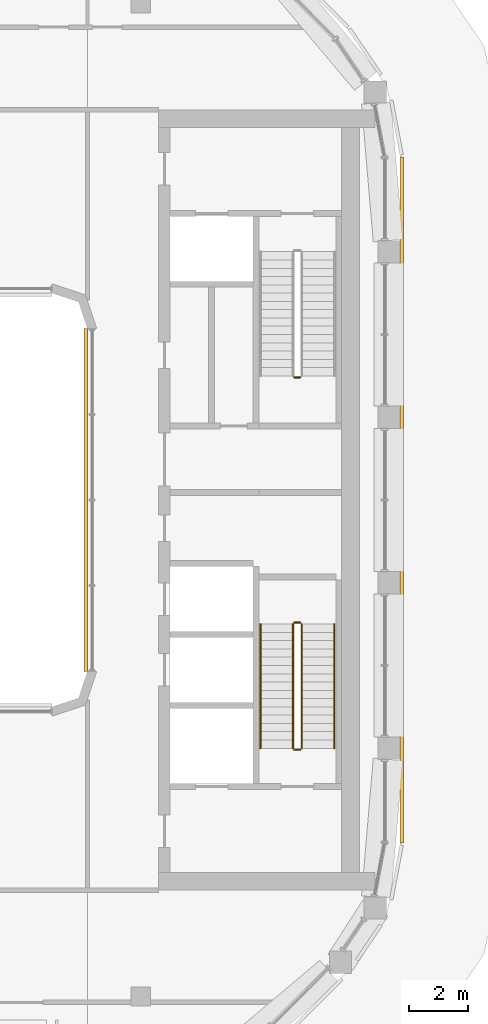
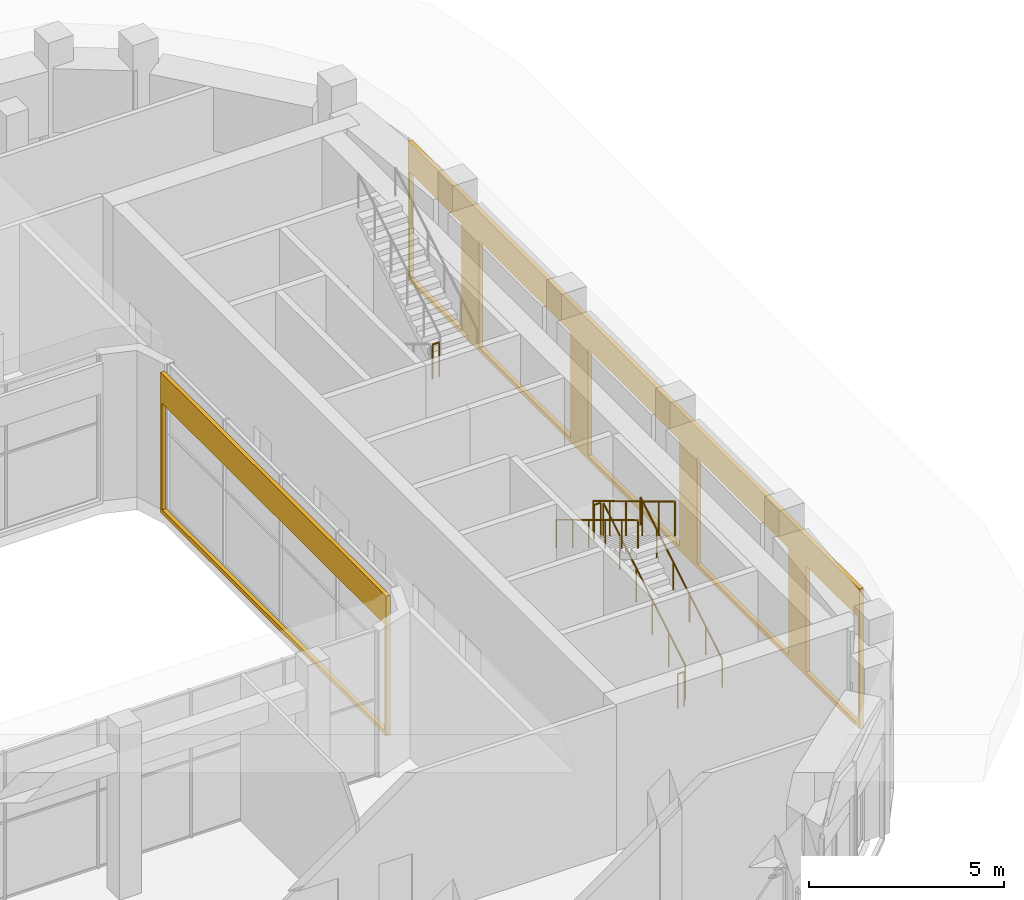
# One storey, part 20 of 23: 7 railings, 2 coverings.
"""IFC4 building model written with IfcOpenShell, lengths in metres."""

from ifc_helpers import new_model, si_unit, direction, frame, origin, origin_2d, place, context, subcontext, project, spatial, polyline, circle, outline, extrude, material, layer, layer_set, type_object, element, save


model = new_model("IFC4")

# Units and contexts
model_context = context("Model", 3, precision=1e-05, world=origin(), true_north=direction((0.0, 1.0)))
body_context = subcontext(model_context, "Body", "Model", "MODEL_VIEW")
ifc_project = project(units=[si_unit("LENGTHUNIT", "METRE"), si_unit("AREAUNIT", "SQUARE_METRE"), si_unit("VOLUMEUNIT", "CUBIC_METRE"), si_unit("PLANEANGLEUNIT", "RADIAN"), si_unit("MASSUNIT", "GRAM", prefix="KILO")], contexts=[model_context])

# Site, building, storey
site_placement = place(None, origin())
site = spatial("IfcSite", under=ifc_project, at=site_placement, CompositionType="ELEMENT")
building_placement = place(site_placement, origin())
building = spatial("IfcBuilding", under=site, at=building_placement, Name="Kiln Ring Residences", CompositionType="ELEMENT")
storey_placement = place(building_placement, frame((0.0, 0.0, 294.5)))
storey = spatial("IfcBuildingStorey", under=building, at=storey_placement, Name="L76", CompositionType="ELEMENT", Elevation=294.5)

# Railings
ifc_material_1 = material(Name="Stainless steel", Category="steel")
railing_type_1 = type_object("IfcRailingType", Name="CORE-STAIR-GUARD", PredefinedType="GUARDRAIL", material=ifc_material_1)
railing_1_placement = place(storey_placement, frame((22.0, 4.14990234375, 2.699951171875)))
element("IfcRailing", 1, at=railing_1_placement, inside=storey, type_object=railing_type_1, Name="L76 E-STN stair guard 2", PredefinedType="GUARDRAIL", context=body_context, shape_type="SweptSolid", body=[
    extrude(circle(Radius=0.02392578125, at=origin_2d()), frame((0.0, 0.0, 1.076171875), z_axis=(1.0, 0.0, 0.0), x_axis=(0.0, 1.0, 0.0)), (0.0, 0.0, 1.0), 0.199951171875),
    extrude(circle(Radius=0.02099609375, at=origin_2d()), origin(), (0.0, 0.0, 1.0), 1.052001953125),
    extrude(circle(Radius=0.02099609375, at=origin_2d()), frame((0.199951171875, 0.0, 0.0)), (0.0, 0.0, 1.0), 1.052001953125),
])
railing_2_placement = place(storey_placement, frame((22.25, -8.39990234375, 0.168701171875)))
element("IfcRailing", 2, at=railing_2_placement, inside=storey, type_object=railing_type_1, Name="L76 E-STS stair guard 1", PredefinedType="GUARDRAIL", context=body_context, shape_type="SweptSolid", body=[
    extrude(circle(Radius=0.02392578125, at=origin_2d()), frame((0.0, 0.0, 1.076171875), z_axis=(0.0, 0.856476492594, 0.516186030065), x_axis=(-1.0, 0.0, 0.0)), (0.0, 0.0, 1.0), 4.90380859375),
    extrude(circle(Radius=0.02099609375, at=origin_2d()), origin(), (0.0, 0.0, 1.0), 1.052001953125),
    extrude(circle(Radius=0.02099609375, at=origin_2d()), frame((0.0, 0.840087890625, 0.50634765625)), (0.0, 0.0, 1.0), 1.052001953125),
    extrude(circle(Radius=0.02099609375, at=origin_2d()), frame((0.0, 1.679931640625, 1.012451171875)), (0.0, 0.0, 1.0), 1.052001953125),
    extrude(circle(Radius=0.02099609375, at=origin_2d()), frame((0.0, 2.52001953125, 1.518798828125)), (0.0, 0.0, 1.0), 1.052001953125),
    extrude(circle(Radius=0.02099609375, at=origin_2d()), frame((0.0, 3.35986328125, 2.02490234375)), (0.0, 0.0, 1.0), 1.052001953125),
    extrude(circle(Radius=0.02099609375, at=origin_2d()), frame((0.0, 4.199951171875, 2.53125)), (0.0, 0.0, 1.0), 1.052001953125),
])
railing_3_placement = place(storey_placement, frame((22.199951171875, -4.14990234375, 2.699951171875)))
element("IfcRailing", 3, at=railing_3_placement, inside=storey, type_object=railing_type_1, Name="L76 E-STS stair guard 2", PredefinedType="GUARDRAIL", context=body_context, shape_type="SweptSolid", body=[
    extrude(circle(Radius=0.02392578125, at=origin_2d()), frame((0.0, 0.0, 1.076171875), z_axis=(-1.0, 0.0, 0.0), x_axis=(0.0, -1.0, 0.0)), (0.0, 0.0, 1.0), 0.199951171875),
    extrude(circle(Radius=0.02099609375, at=origin_2d()), origin(), (0.0, 0.0, 1.0), 1.052001953125),
    extrude(circle(Radius=0.02099609375, at=origin_2d()), frame((-0.199951171875, 0.0, 0.0)), (0.0, 0.0, 1.0), 1.052001953125),
])
railing_4_placement = place(storey_placement, frame((21.949951171875, -4.199951171875, 2.86865234375)))
element("IfcRailing", 4, at=railing_4_placement, inside=storey, type_object=railing_type_1, Name="L76 E-STS stair guard 3", PredefinedType="GUARDRAIL", context=body_context, shape_type="SweptSolid", body=[
    extrude(circle(Radius=0.02392578125, at=origin_2d()), frame((0.0, 0.0, 1.076171875), z_axis=(0.0, -0.856476492594, 0.516186030065), x_axis=(1.0, 0.0, 0.0)), (0.0, 0.0, 1.0), 4.90380859375),
    extrude(circle(Radius=0.02099609375, at=origin_2d()), origin(), (0.0, 0.0, 1.0), 1.052001953125),
    extrude(circle(Radius=0.02099609375, at=origin_2d()), frame((0.0, -0.840087890625, 0.50634765625)), (0.0, 0.0, 1.0), 1.052001953125),
    extrude(circle(Radius=0.02099609375, at=origin_2d()), frame((0.0, -1.679931640625, 1.012451171875)), (0.0, 0.0, 1.0), 1.052001953125),
    extrude(circle(Radius=0.02099609375, at=origin_2d()), frame((0.0, -2.52001953125, 1.518798828125)), (0.0, 0.0, 1.0), 1.052001953125),
    extrude(circle(Radius=0.02099609375, at=origin_2d()), frame((0.0, -3.35986328125, 2.02490234375)), (0.0, 0.0, 1.0), 1.052001953125),
    extrude(circle(Radius=0.02099609375, at=origin_2d()), frame((0.0, -4.199951171875, 2.53125)), (0.0, 0.0, 1.0), 1.052001953125),
])
railing_5_placement = place(storey_placement, frame((22.199951171875, -8.449951171875, 0.0)))
element("IfcRailing", 5, at=railing_5_placement, inside=storey, type_object=railing_type_1, Name="L76 E-STS stair guard 4", PredefinedType="GUARDRAIL", context=body_context, shape_type="SweptSolid", body=[
    extrude(circle(Radius=0.02392578125, at=origin_2d()), frame((0.0, 0.0, 1.076171875), z_axis=(-1.0, 0.0, 0.0), x_axis=(0.0, -1.0, 0.0)), (0.0, 0.0, 1.0), 0.199951171875),
    extrude(circle(Radius=0.02099609375, at=origin_2d()), origin(), (0.0, 0.0, 1.0), 1.052001953125),
    extrude(circle(Radius=0.02099609375, at=origin_2d()), frame((-0.199951171875, 0.0, 0.0)), (0.0, 0.0, 1.0), 1.052001953125),
])
ifc_material_2 = material(Name="Stainless steel", Category="steel")
railing_type_2 = type_object("IfcRailingType", Name="CORE-STAIR-HANDRAIL", PredefinedType="HANDRAIL", material=ifc_material_2)
railing_6_placement = place(storey_placement, frame((23.35009765625, -8.39990234375, 0.168701171875)))
element("IfcRailing", 6, at=railing_6_placement, inside=storey, type_object=railing_type_2, Name="L76 E-STS stair handrail 1", PredefinedType="HANDRAIL", context=body_context, shape_type="SweptSolid", body=[
    extrude(circle(Radius=0.02392578125, at=origin_2d()), frame((0.0, 0.0, 0.8759765625), z_axis=(0.0, 0.856476492594, 0.516186030065), x_axis=(-1.0, 0.0, 0.0)), (0.0, 0.0, 1.0), 4.90380859375),
    extrude(circle(Radius=0.02099609375, at=origin_2d()), origin(), (0.0, 0.0, 1.0), 0.851806640625),
    extrude(circle(Radius=0.02099609375, at=origin_2d()), frame((0.0, 0.840087890625, 0.50634765625)), (0.0, 0.0, 1.0), 0.851806640625),
    extrude(circle(Radius=0.02099609375, at=origin_2d()), frame((0.0, 1.679931640625, 1.012451171875)), (0.0, 0.0, 1.0), 0.851806640625),
    extrude(circle(Radius=0.02099609375, at=origin_2d()), frame((0.0, 2.52001953125, 1.518798828125)), (0.0, 0.0, 1.0), 0.851806640625),
    extrude(circle(Radius=0.02099609375, at=origin_2d()), frame((0.0, 3.35986328125, 2.02490234375)), (0.0, 0.0, 1.0), 0.851806640625),
    extrude(circle(Radius=0.02099609375, at=origin_2d()), frame((0.0, 4.199951171875, 2.53125)), (0.0, 0.0, 1.0), 0.851806640625),
])
railing_7_placement = place(storey_placement, frame((20.85009765625, -4.199951171875, 2.86865234375)))
element("IfcRailing", 7, at=railing_7_placement, inside=storey, type_object=railing_type_2, Name="L76 E-STS stair handrail 2", PredefinedType="HANDRAIL", context=body_context, shape_type="SweptSolid", body=[
    extrude(circle(Radius=0.02392578125, at=origin_2d()), frame((0.0, 0.0, 0.8759765625), z_axis=(0.0, -0.856476492594, 0.516186030065), x_axis=(1.0, 0.0, 0.0)), (0.0, 0.0, 1.0), 4.90380859375),
    extrude(circle(Radius=0.02099609375, at=origin_2d()), origin(), (0.0, 0.0, 1.0), 0.851806640625),
    extrude(circle(Radius=0.02099609375, at=origin_2d()), frame((0.0, -0.840087890625, 0.50634765625)), (0.0, 0.0, 1.0), 0.851806640625),
    extrude(circle(Radius=0.02099609375, at=origin_2d()), frame((0.0, -1.679931640625, 1.012451171875)), (0.0, 0.0, 1.0), 0.851806640625),
    extrude(circle(Radius=0.02099609375, at=origin_2d()), frame((0.0, -2.52001953125, 1.518798828125)), (0.0, 0.0, 1.0), 0.851806640625),
    extrude(circle(Radius=0.02099609375, at=origin_2d()), frame((0.0, -3.35986328125, 2.02490234375)), (0.0, 0.0, 1.0), 0.851806640625),
    extrude(circle(Radius=0.02099609375, at=origin_2d()), frame((0.0, -4.199951171875, 2.53125)), (0.0, 0.0, 1.0), 0.851806640625),
])

# Coverings
ifc_material_3 = material(Name="Brick masonry, dark clay brick", Category="masonry")
ifc_layer = layer(ifc_material_3, 0.1201171875)
ifc_layer_set = layer_set([ifc_layer], Name="RAINSCREEN PANEL 120")
covering_type = type_object("IfcCoveringType", Name="RAINSCREEN PANEL 120", PredefinedType="CLADDING", material=ifc_layer_set)
covering_1_placement = place(storey_placement, frame((25.635009765625, -11.60009765625, 0.0), z_axis=(0.0, 0.0, 1.0), x_axis=(0.0, 1.0, 0.0)))
element("IfcCovering", 8, at=covering_1_placement, inside=storey, type_object=covering_type, Name="RAINSCREEN L76", PredefinedType="CLADDING", context=body_context, shape_type="SweptSolid", body=[
    extrude(outline(polyline([(0.0, 0.0), (23.199951171875, 0.0), (23.199951171875, 4.39990234375), (0.0, 4.39990234375), (0.0, 0.0)]), holes=[polyline([(2.7451171875, 0.1298828125), (2.7451171875, 3.469970703125), (0.080078125, 3.469970703125), (0.080078125, 0.1298828125), (2.7451171875, 0.1298828125)]), polyline([(8.344970703125, 0.1298828125), (8.344970703125, 3.469970703125), (3.655029296875, 3.469970703125), (3.655029296875, 0.1298828125), (8.344970703125, 0.1298828125)]), polyline([(13.945068359375, 0.1298828125), (13.945068359375, 3.469970703125), (9.2548828125, 3.469970703125), (9.2548828125, 0.1298828125), (13.945068359375, 0.1298828125)]), polyline([(14.85498046875, 0.1298828125), (19.544921875, 0.1298828125), (19.544921875, 3.469970703125), (14.85498046875, 3.469970703125), (14.85498046875, 0.1298828125)]), polyline([(20.455078125, 0.1298828125), (23.1201171875, 0.1298828125), (23.1201171875, 3.469970703125), (20.455078125, 3.469970703125), (20.455078125, 0.1298828125)])]), frame((0.0, 0.06005859375, 0.0), z_axis=(0.0, -1.0, 0.0), x_axis=(1.0, 0.0, 0.0)), (0.0, 0.0, 1.0), 0.1201171875),
])
covering_2_placement = place(storey_placement, frame((14.93994140625, 5.800048828125, 0.0), z_axis=(0.0, 0.0, 1.0), x_axis=(0.0, -1.0, 0.0)))
element("IfcCovering", 9, at=covering_2_placement, inside=storey, type_object=covering_type, Name="RAINSCREEN L76", PredefinedType="CLADDING", context=body_context, shape_type="SweptSolid", body=[
    extrude(outline(polyline([(0.0, 0.0), (11.60009765625, 0.0), (11.60009765625, 4.39990234375), (0.0, 4.39990234375), (0.0, 0.0)]), holes=[polyline([(0.080078125, 3.469970703125), (0.080078125, 0.1298828125), (11.52001953125, 0.1298828125), (11.52001953125, 3.469970703125), (0.080078125, 3.469970703125)])]), frame((0.0, 0.06005859375, 0.0), z_axis=(0.0, -1.0, 0.0), x_axis=(1.0, 0.0, 0.0)), (0.0, 0.0, 1.0), 0.1201171875),
])

save(model, "model.ifc")
